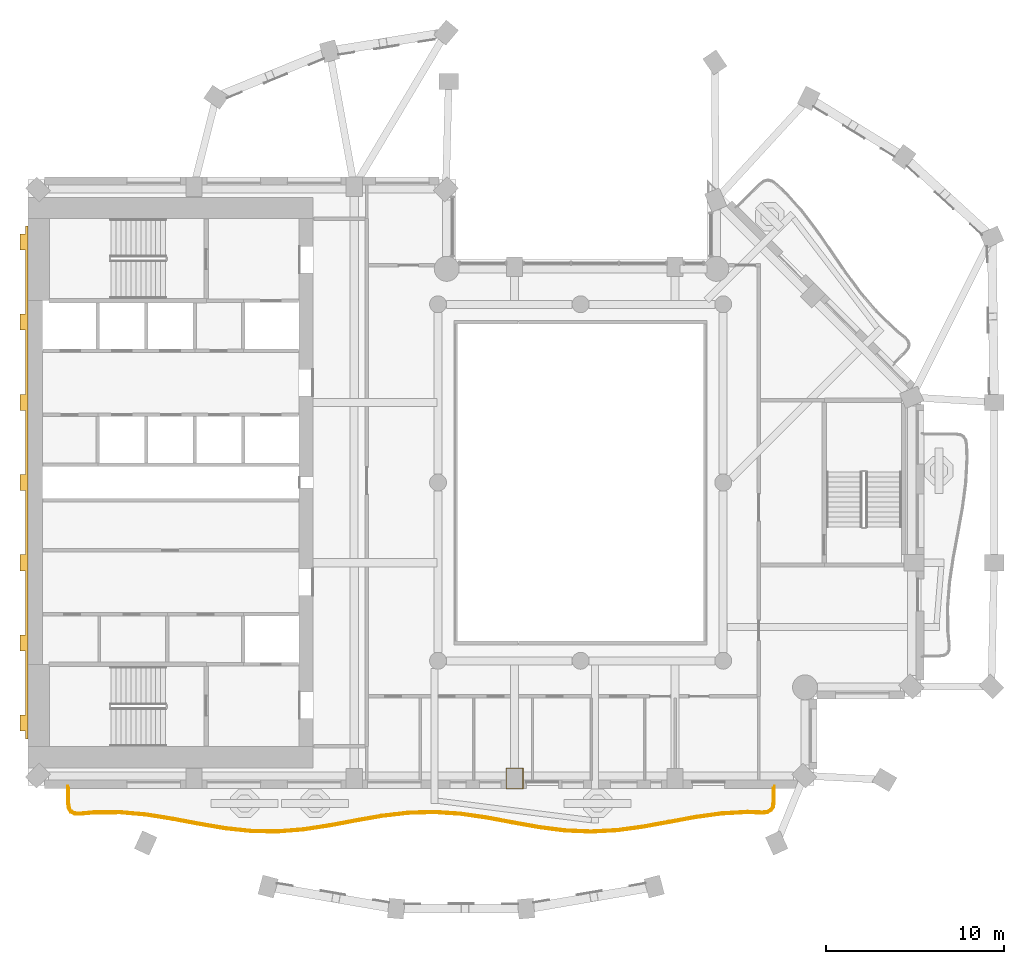
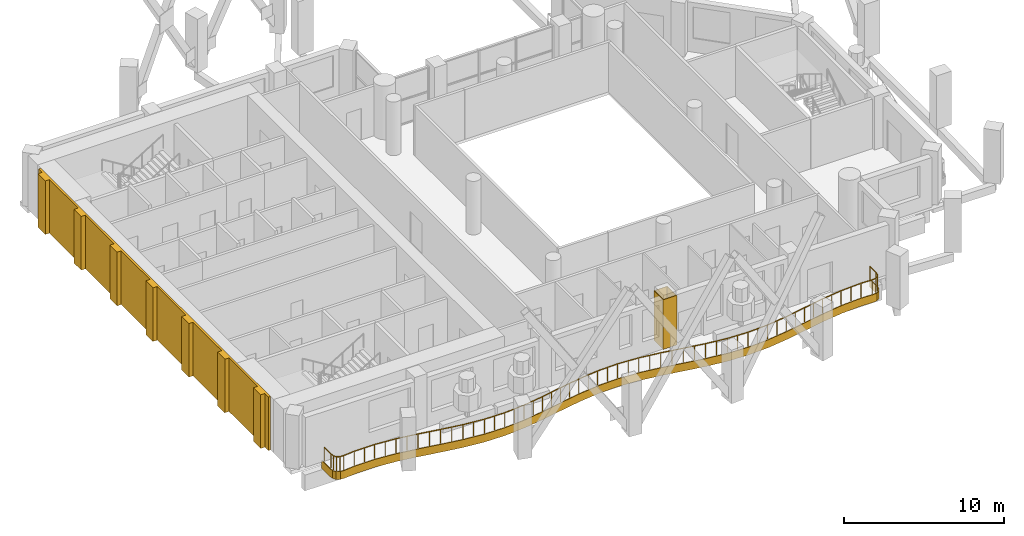
# One storey, part 12 of 16: 3 coverings, 1 railing.
"""IFC4 building model written with IfcOpenShell, lengths in metres."""

from ifc_helpers import new_model, si_unit, direction, frame, origin, origin_2d, place, context, subcontext, project, spatial, polyline, rectangle, outline, extrude, material, layer, layer_set, type_object, element, save


model = new_model("IFC4")

# Units and contexts
model_context = context("Model", 3, precision=1e-05, world=origin(), true_north=direction((0.0, 1.0)))
body_context = subcontext(model_context, "Body", "Model", "MODEL_VIEW")
ifc_project = project(units=[si_unit("LENGTHUNIT", "METRE"), si_unit("AREAUNIT", "SQUARE_METRE"), si_unit("VOLUMEUNIT", "CUBIC_METRE"), si_unit("PLANEANGLEUNIT", "RADIAN"), si_unit("MASSUNIT", "GRAM", prefix="KILO")], contexts=[model_context])

# Site, building, storey
site_placement = place(None, origin())
site = spatial("IfcSite", under=ifc_project, at=site_placement, CompositionType="ELEMENT")
building_placement = place(site_placement, origin())
building = spatial("IfcBuilding", under=site, at=building_placement, Name="Cypress Arch Tower", CompositionType="ELEMENT")
storey_placement = place(building_placement, frame((0.0, 0.0, 181.0)))
storey = spatial("IfcBuildingStorey", under=building, at=storey_placement, Name="L39", CompositionType="ELEMENT", Elevation=181.0)

# Covering
ifc_material_1 = material(Name="White powder-coated aluminium fascia", Category="aluminium")
ifc_layer_1 = layer(ifc_material_1, 0.050048828125)
ifc_layer_set_1 = layer_set([ifc_layer_1], Name="Balcony fascia BF50")
covering_type_1 = type_object("IfcCoveringType", Name="Balcony fascia BF50", PredefinedType="CLADDING", material=ifc_layer_set_1)
covering_1_placement = place(storey_placement, frame((0.0, 0.0, -0.60009765625)))
element("IfcCovering", 1, at=covering_1_placement, inside=storey, type_object=covering_type_1, Name="Balcony fascia L39-B01", PredefinedType="CLADDING", context=body_context, shape_type="SweptSolid", body=[
    extrude(outline(polyline([(11.89990234375, -17.903076171875), (11.856689453125, -18.2041015625), (11.720703125, -18.425537109375), (11.494140625, -18.55224609375), (11.191650390625, -18.583251953125), (10.3837890625, -18.550537109375), (8.92138671875, -18.6318359375), (7.4580078125, -18.8330078125), (5.992431640625, -19.102783203125), (4.524658203125, -19.372314453125), (3.0546875, -19.572021484375), (1.58349609375, -19.650634765625), (0.1123046875, -19.587890625), (-1.357666015625, -19.399658203125), (-2.82568359375, -19.134765625), (-4.29150390625, -18.861328125), (-5.755126953125, -18.6494140625), (-7.217529296875, -18.552734375), (-8.6796875, -18.59619140625), (-10.142822265625, -18.7685546875), (-11.607666015625, -19.026123046875), (-13.074951171875, -19.302978515625), (-14.544189453125, -19.52783203125), (-16.01513671875, -19.64306640625), (-17.486328125, -19.61865234375), (-18.956787109375, -19.461181640625), (-20.425537109375, -19.2109375), (-21.891845703125, -18.9326171875), (-23.356201171875, -18.697509765625), (-24.81884765625, -18.565673828125), (-26.28076171875, -18.570556640625), (-27.0888671875, -18.64794921875), (-27.391845703125, -18.633544921875), (-27.619873046875, -18.51806640625), (-27.756591796875, -18.302001953125), (-27.800048828125, -18.001708984375), (-27.800048828125, -17.0009765625), (-27.75, -17.0009765625), (-27.75, -17.998291015625), (-27.708740234375, -18.284423828125), (-27.5849609375, -18.479736328125), (-27.378662109375, -18.584228515625), (-27.090087890625, -18.597900390625), (-26.283447265625, -18.5205078125), (-24.816650390625, -18.515625), (-23.35009765625, -18.64794921875), (-21.88330078125, -18.88330078125), (-20.416748046875, -19.161865234375), (-18.949951171875, -19.41162109375), (-17.4833984375, -19.56884765625), (-16.0166015625, -19.593017578125), (-14.550048828125, -19.478271484375), (-13.083251953125, -19.253662109375), (-11.61669921875, -18.97705078125), (-10.14990234375, -18.71923828125), (-8.683349609375, -18.54638671875), (-7.216552734375, -18.502685546875), (-5.75, -18.599609375), (-4.283447265625, -18.81201171875), (-2.816650390625, -19.085693359375), (-1.35009765625, -19.350341796875), (0.11669921875, -19.5380859375), (1.583251953125, -19.6005859375), (3.050048828125, -19.522216796875), (4.5166015625, -19.322998046875), (5.9833984375, -19.0537109375), (7.449951171875, -18.78369140625), (8.916748046875, -18.58203125), (10.38330078125, -18.50048828125), (11.18994140625, -18.533203125), (11.478759765625, -18.503662109375), (11.68505859375, -18.38818359375), (11.808837890625, -18.186767578125), (11.85009765625, -17.8994140625), (11.85009765625, -17.0009765625), (11.89990234375, -17.0009765625), (11.89990234375, -17.903076171875)])), origin(), (0.0, 0.0, 1.0), 0.60009765625),
])

# Railing
ifc_material_2 = material(Name="Powder-coated steel posts and rods, 100 mm clear between rods", Category="steel")
railing_type = type_object("IfcRailingType", Name="Balcony guard GR1100", PredefinedType="GUARDRAIL", material=ifc_material_2)
railing_placement = place(storey_placement, frame((11.800048828125, -17.14990234375, 0.0)))
element("IfcRailing", 2, at=railing_placement, inside=storey, type_object=railing_type, Name="Balcony guard L39-B01", PredefinedType="GUARDRAIL", context=body_context, shape_type="SweptSolid", body=[
    extrude(rectangle(XDim=0.050048828125, YDim=0.050048828125, at=origin_2d()), frame((0.0, 0.0, 1.0751953125), z_axis=(0.0, -1.0, 0.0), x_axis=(1.0, 0.0, 0.0)), (0.0, 0.0, 1.0), 0.74609375),
    extrude(rectangle(XDim=0.050048828125, YDim=0.050048828125, at=origin_2d()), frame((0.0, -0.74609375, 1.0751953125), z_axis=(-0.142287399326, -0.989825386618, 0.0), x_axis=(0.989825386618, -0.142287399326, 0.0)), (0.0, 0.0, 1.0), 0.2763671875),
    extrude(rectangle(XDim=0.050048828125, YDim=0.050048828125, at=origin_2d()), frame((-0.039306640625, -1.01953125, 1.0751953125), z_axis=(-0.523905525401, -0.851776379371, 0.0), x_axis=(0.851776379371, -0.523905525401, 0.0)), (0.0, 0.0, 1.0), 0.212890625),
    extrude(rectangle(XDim=0.050048828125, YDim=0.050048828125, at=origin_2d()), frame((-0.15087890625, -1.200927734375, 1.0751953125), z_axis=(-0.872584215723, -0.48846370026, 0.0), x_axis=(0.48846370026, -0.872584215723, 0.0)), (0.0, 0.0, 1.0), 0.212890625),
    extrude(rectangle(XDim=0.050048828125, YDim=0.050048828125, at=origin_2d()), frame((-0.336669921875, -1.304931640625, 1.0751953125), z_axis=(-0.99473535586, -0.10247717698, 0.0), x_axis=(0.10247717698, -0.99473535586, 0.0)), (0.0, 0.0, 1.0), 0.2763671875),
    extrude(rectangle(XDim=0.050048828125, YDim=0.050048828125, at=origin_2d()), frame((-0.611572265625, -1.333251953125, 1.0751953125), z_axis=(-0.999176093395, 0.04058490346, 0.0), x_axis=(-0.04058490346, -0.999176093395, 0.0)), (0.0, 0.0, 1.0), 0.80615234375),
    extrude(rectangle(XDim=0.050048828125, YDim=0.050048828125, at=origin_2d()), frame((-1.4169921875, -1.300537109375, 1.0751953125), z_axis=(-0.998458313248, -0.055506726674, 0.0), x_axis=(0.055506726674, -0.998458313248, 0.0)), (0.0, 0.0, 1.0), 1.473388671875),
    extrude(rectangle(XDim=0.050048828125, YDim=0.050048828125, at=origin_2d()), frame((-2.88818359375, -1.38232421875, 1.0751953125), z_axis=(-0.990695488544, -0.136097204157, 0.0), x_axis=(0.136097204157, -0.990695488544, 0.0)), (0.0, 0.0, 1.0), 1.483642578125),
    extrude(rectangle(XDim=0.050048828125, YDim=0.050048828125, at=origin_2d()), frame((-4.35791015625, -1.584228515625, 1.0751953125), z_axis=(-0.983466991215, -0.181087484909, 0.0), x_axis=(0.181087484909, -0.983466991215, 0.0)), (0.0, 0.0, 1.0), 1.492431640625),
    extrude(rectangle(XDim=0.050048828125, YDim=0.050048828125, at=origin_2d()), frame((-5.82568359375, -1.8544921875, 1.0751953125), z_axis=(-0.983564391279, -0.180557714341, 0.0), x_axis=(0.180557714341, -0.983564391279, 0.0)), (0.0, 0.0, 1.0), 1.489990234375),
    extrude(rectangle(XDim=0.050048828125, YDim=0.050048828125, at=origin_2d()), frame((-7.291259765625, -2.12353515625, 1.0751953125), z_axis=(-0.990882403587, -0.13472958941, 0.0), x_axis=(0.13472958941, -0.990882403587, 0.0)), (0.0, 0.0, 1.0), 1.476806640625),
    extrude(rectangle(XDim=0.050048828125, YDim=0.050048828125, at=origin_2d()), frame((-8.754638671875, -2.322509765625, 1.0751953125), z_axis=(-0.998576072298, -0.053346301024, 0.0), x_axis=(0.053346301024, -0.998576072298, 0.0)), (0.0, 0.0, 1.0), 1.464599609375),
    extrude(rectangle(XDim=0.050048828125, YDim=0.050048828125, at=origin_2d()), frame((-10.217041015625, -2.400634765625, 1.0751953125), z_axis=(-0.999087681105, 0.042706035459, 0.0), x_axis=(-0.042706035459, -0.999087681105, 0.0)), (0.0, 0.0, 1.0), 1.46337890625),
    extrude(rectangle(XDim=0.050048828125, YDim=0.050048828125, at=origin_2d()), frame((-11.67919921875, -2.338134765625, 1.0751953125), z_axis=(-0.991909475949, 0.126947199742, 0.0), x_axis=(-0.126947199742, -0.991909475949, 0.0)), (0.0, 0.0, 1.0), 1.47509765625),
    extrude(rectangle(XDim=0.050048828125, YDim=0.050048828125, at=origin_2d()), frame((-13.142333984375, -2.15087890625, 1.0751953125), z_axis=(-0.984107764533, 0.177572260745, 0.0), x_axis=(-0.177572260745, -0.984107764533, 0.0)), (0.0, 0.0, 1.0), 1.489013671875),
    extrude(rectangle(XDim=0.050048828125, YDim=0.050048828125, at=origin_2d()), frame((-14.607666015625, -1.886474609375, 1.0751953125), z_axis=(-0.983051307943, 0.183330646515, 0.0), x_axis=(-0.183330646515, -0.983051307943, 0.0)), (0.0, 0.0, 1.0), 1.492919921875),
    extrude(rectangle(XDim=0.050048828125, YDim=0.050048828125, at=origin_2d()), frame((-16.0751953125, -1.61279296875, 1.0751953125), z_axis=(-0.989671418466, 0.143354398157, 0.0), x_axis=(-0.143354398157, -0.989671418466, 0.0)), (0.0, 0.0, 1.0), 1.485107421875),
    extrude(rectangle(XDim=0.050048828125, YDim=0.050048828125, at=origin_2d()), frame((-17.544921875, -1.39990234375, 1.0751953125), z_axis=(-0.997825279031, 0.06591443337, 0.0), x_axis=(-0.06591443337, -0.997825279031, 0.0)), (0.0, 0.0, 1.0), 1.47412109375),
    extrude(rectangle(XDim=0.050048828125, YDim=0.050048828125, at=origin_2d()), frame((-19.015869140625, -1.302734375, 1.0751953125), z_axis=(-0.999559109721, -0.029691516867, 0.0), x_axis=(0.029691516867, -0.999559109721, 0.0)), (0.0, 0.0, 1.0), 1.471923828125),
    extrude(rectangle(XDim=0.050048828125, YDim=0.050048828125, at=origin_2d()), frame((-20.487060546875, -1.346435546875, 1.0751953125), z_axis=(-0.993121304879, -0.117090024321, 0.0), x_axis=(0.117090024321, -0.993121304879, 0.0)), (0.0, 0.0, 1.0), 1.48046875),
    extrude(rectangle(XDim=0.050048828125, YDim=0.050048828125, at=origin_2d()), frame((-21.957275390625, -1.519775390625, 1.0751953125), z_axis=(-0.984908582106, -0.173075373447, 0.0), x_axis=(0.173075373447, -0.984908582106, 0.0)), (0.0, 0.0, 1.0), 1.490966796875),
    extrude(rectangle(XDim=0.050048828125, YDim=0.050048828125, at=origin_2d()), frame((-23.42578125, -1.77783203125, 1.0751953125), z_axis=(-0.982662216276, -0.185404877775, 0.0), x_axis=(0.185404877775, -0.982662216276, 0.0)), (0.0, 0.0, 1.0), 1.491943359375),
    extrude(rectangle(XDim=0.050048828125, YDim=0.050048828125, at=origin_2d()), frame((-24.891845703125, -2.054443359375, 1.0751953125), z_axis=(-0.988481976373, -0.151338634808, 0.0), x_axis=(0.151338634808, -0.988481976373, 0.0)), (0.0, 0.0, 1.0), 1.48095703125),
    extrude(rectangle(XDim=0.050048828125, YDim=0.050048828125, at=origin_2d()), frame((-26.355712890625, -2.278564453125, 1.0751953125), z_axis=(-0.996949812842, -0.078045311671, 0.0), x_axis=(0.078045311671, -0.996949812842, 0.0)), (0.0, 0.0, 1.0), 1.467041015625),
    extrude(rectangle(XDim=0.050048828125, YDim=0.050048828125, at=origin_2d()), frame((-27.818359375, -2.39306640625, 1.0751953125), z_axis=(-0.999863356874, 0.016530807002, 0.0), x_axis=(-0.016530807002, -0.999863356874, 0.0)), (0.0, 0.0, 1.0), 1.462158203125),
    extrude(rectangle(XDim=0.050048828125, YDim=0.050048828125, at=origin_2d()), frame((-29.2802734375, -2.368896484375, 1.0751953125), z_axis=(-0.99430915392, 0.106533123634, 0.0), x_axis=(-0.106533123634, -0.99430915392, 0.0)), (0.0, 0.0, 1.0), 1.47119140625),
    extrude(rectangle(XDim=0.050048828125, YDim=0.050048828125, at=origin_2d()), frame((-30.7431640625, -2.212158203125, 1.0751953125), z_axis=(-0.985796868286, 0.167942056907, 0.0), x_axis=(-0.167942056907, -0.985796868286, 0.0)), (0.0, 0.0, 1.0), 1.485595703125),
    extrude(rectangle(XDim=0.050048828125, YDim=0.050048828125, at=origin_2d()), frame((-32.207763671875, -1.962646484375, 1.0751953125), z_axis=(-0.982475685153, 0.186390793988, 0.0), x_axis=(-0.186390793988, -0.982475685153, 0.0)), (0.0, 0.0, 1.0), 1.4931640625),
    extrude(rectangle(XDim=0.050048828125, YDim=0.050048828125, at=origin_2d()), frame((-33.6748046875, -1.684326171875, 1.0751953125), z_axis=(-0.987330830338, 0.158675238979, 0.0), x_axis=(-0.158675238979, -0.987330830338, 0.0)), (0.0, 0.0, 1.0), 1.48779296875),
    extrude(rectangle(XDim=0.050048828125, YDim=0.050048828125, at=origin_2d()), frame((-35.143798828125, -1.4482421875, 1.0751953125), z_axis=(-0.99596203062, 0.089775461923, 0.0), x_axis=(-0.089775461923, -0.99596203062, 0.0)), (0.0, 0.0, 1.0), 1.4765625),
    extrude(rectangle(XDim=0.050048828125, YDim=0.050048828125, at=origin_2d()), frame((-36.614501953125, -1.315673828125, 1.0751953125), z_axis=(-0.999994494154, -0.00331838226, 0.0), x_axis=(0.00331838226, -0.999994494154, 0.0)), (0.0, 0.0, 1.0), 1.471435546875),
    extrude(rectangle(XDim=0.050048828125, YDim=0.050048828125, at=origin_2d()), frame((-38.0859375, -1.320556640625, 1.0751953125), z_axis=(-0.995415108176, -0.095649163168, 0.0), x_axis=(0.095649163168, -0.995415108176, 0.0)), (0.0, 0.0, 1.0), 0.80908203125),
    extrude(rectangle(XDim=0.050048828125, YDim=0.050048828125, at=origin_2d()), frame((-38.891357421875, -1.39794921875, 1.0751953125), z_axis=(-0.998847943181, 0.047987356701, 0.0), x_axis=(-0.047987356701, -0.998847943181, 0.0)), (0.0, 0.0, 1.0), 0.274658203125),
    extrude(rectangle(XDim=0.050048828125, YDim=0.050048828125, at=origin_2d()), frame((-39.165771484375, -1.384765625, 1.0751953125), z_axis=(-0.891813428963, 0.4524033686, 0.0), x_axis=(-0.4524033686, -0.891813428963, 0.0)), (0.0, 0.0, 1.0), 0.206787109375),
    extrude(rectangle(XDim=0.050048828125, YDim=0.050048828125, at=origin_2d()), frame((-39.35009765625, -1.291259765625, 1.0751953125), z_axis=(-0.536034849879, 0.844195853884, 0.0), x_axis=(-0.844195853884, -0.536034849879, 0.0)), (0.0, 0.0, 1.0), 0.206787109375),
    extrude(rectangle(XDim=0.050048828125, YDim=0.050048828125, at=origin_2d()), frame((-39.4609375, -1.11669921875, 1.0751953125), z_axis=(-0.142167696448, 0.989842586519, 0.0), x_axis=(-0.989842586519, -0.142167696448, 0.0)), (0.0, 0.0, 1.0), 0.274658203125),
    extrude(rectangle(XDim=0.050048828125, YDim=0.050048828125, at=origin_2d()), frame((-39.5, -0.8447265625, 1.0751953125), z_axis=(0.0, 1.0, 0.0), x_axis=(-1.0, 0.0, 0.0)), (0.0, 0.0, 1.0), 0.8447265625),
    extrude(rectangle(XDim=0.0400390625, YDim=0.0400390625, at=origin_2d()), origin(), (0.0, 0.0, 1.0), 1.050048828125),
    extrude(rectangle(XDim=0.0400390625, YDim=0.0400390625, at=origin_2d()), frame((0.0, -0.74609375, 0.0)), (0.0, 0.0, 1.0), 1.050048828125),
    extrude(rectangle(XDim=0.0400390625, YDim=0.0400390625, at=origin_2d()), frame((-0.039306640625, -1.01953125, 0.0)), (0.0, 0.0, 1.0), 1.050048828125),
    extrude(rectangle(XDim=0.0400390625, YDim=0.0400390625, at=origin_2d()), frame((-0.15087890625, -1.200927734375, 0.0)), (0.0, 0.0, 1.0), 1.050048828125),
    extrude(rectangle(XDim=0.0400390625, YDim=0.0400390625, at=origin_2d()), frame((-0.336669921875, -1.304931640625, 0.0)), (0.0, 0.0, 1.0), 1.050048828125),
    extrude(rectangle(XDim=0.0400390625, YDim=0.0400390625, at=origin_2d()), frame((-0.611572265625, -1.333251953125, 0.0)), (0.0, 0.0, 1.0), 1.050048828125),
    extrude(rectangle(XDim=0.0400390625, YDim=0.0400390625, at=origin_2d()), frame((-1.4169921875, -1.300537109375, 0.0)), (0.0, 0.0, 1.0), 1.050048828125),
    extrude(rectangle(XDim=0.0400390625, YDim=0.0400390625, at=origin_2d()), frame((-2.152587890625, -1.34130859375, 0.0)), (0.0, 0.0, 1.0), 1.050048828125),
    extrude(rectangle(XDim=0.0400390625, YDim=0.0400390625, at=origin_2d()), frame((-2.88818359375, -1.38232421875, 0.0)), (0.0, 0.0, 1.0), 1.050048828125),
    extrude(rectangle(XDim=0.0400390625, YDim=0.0400390625, at=origin_2d()), frame((-3.623046875, -1.4833984375, 0.0)), (0.0, 0.0, 1.0), 1.050048828125),
    extrude(rectangle(XDim=0.0400390625, YDim=0.0400390625, at=origin_2d()), frame((-4.35791015625, -1.584228515625, 0.0)), (0.0, 0.0, 1.0), 1.050048828125),
    extrude(rectangle(XDim=0.0400390625, YDim=0.0400390625, at=origin_2d()), frame((-5.091796875, -1.71923828125, 0.0)), (0.0, 0.0, 1.0), 1.050048828125),
    extrude(rectangle(XDim=0.0400390625, YDim=0.0400390625, at=origin_2d()), frame((-5.82568359375, -1.8544921875, 0.0)), (0.0, 0.0, 1.0), 1.050048828125),
    extrude(rectangle(XDim=0.0400390625, YDim=0.0400390625, at=origin_2d()), frame((-6.55859375, -1.989013671875, 0.0)), (0.0, 0.0, 1.0), 1.050048828125),
    extrude(rectangle(XDim=0.0400390625, YDim=0.0400390625, at=origin_2d()), frame((-7.291259765625, -2.12353515625, 0.0)), (0.0, 0.0, 1.0), 1.050048828125),
    extrude(rectangle(XDim=0.0400390625, YDim=0.0400390625, at=origin_2d()), frame((-8.02294921875, -2.22314453125, 0.0)), (0.0, 0.0, 1.0), 1.050048828125),
    extrude(rectangle(XDim=0.0400390625, YDim=0.0400390625, at=origin_2d()), frame((-8.754638671875, -2.322509765625, 0.0)), (0.0, 0.0, 1.0), 1.050048828125),
    extrude(rectangle(XDim=0.0400390625, YDim=0.0400390625, at=origin_2d()), frame((-9.48583984375, -2.361572265625, 0.0)), (0.0, 0.0, 1.0), 1.050048828125),
    extrude(rectangle(XDim=0.0400390625, YDim=0.0400390625, at=origin_2d()), frame((-10.217041015625, -2.400634765625, 0.0)), (0.0, 0.0, 1.0), 1.050048828125),
    extrude(rectangle(XDim=0.0400390625, YDim=0.0400390625, at=origin_2d()), frame((-10.9482421875, -2.369384765625, 0.0)), (0.0, 0.0, 1.0), 1.050048828125),
    extrude(rectangle(XDim=0.0400390625, YDim=0.0400390625, at=origin_2d()), frame((-11.67919921875, -2.338134765625, 0.0)), (0.0, 0.0, 1.0), 1.050048828125),
    extrude(rectangle(XDim=0.0400390625, YDim=0.0400390625, at=origin_2d()), frame((-12.41064453125, -2.24462890625, 0.0)), (0.0, 0.0, 1.0), 1.050048828125),
    extrude(rectangle(XDim=0.0400390625, YDim=0.0400390625, at=origin_2d()), frame((-13.142333984375, -2.15087890625, 0.0)), (0.0, 0.0, 1.0), 1.050048828125),
    extrude(rectangle(XDim=0.0400390625, YDim=0.0400390625, at=origin_2d()), frame((-13.875, -2.0185546875, 0.0)), (0.0, 0.0, 1.0), 1.050048828125),
    extrude(rectangle(XDim=0.0400390625, YDim=0.0400390625, at=origin_2d()), frame((-14.607666015625, -1.886474609375, 0.0)), (0.0, 0.0, 1.0), 1.050048828125),
    extrude(rectangle(XDim=0.0400390625, YDim=0.0400390625, at=origin_2d()), frame((-15.34130859375, -1.74951171875, 0.0)), (0.0, 0.0, 1.0), 1.050048828125),
    extrude(rectangle(XDim=0.0400390625, YDim=0.0400390625, at=origin_2d()), frame((-16.0751953125, -1.61279296875, 0.0)), (0.0, 0.0, 1.0), 1.050048828125),
    extrude(rectangle(XDim=0.0400390625, YDim=0.0400390625, at=origin_2d()), frame((-16.81005859375, -1.50634765625, 0.0)), (0.0, 0.0, 1.0), 1.050048828125),
    extrude(rectangle(XDim=0.0400390625, YDim=0.0400390625, at=origin_2d()), frame((-17.544921875, -1.39990234375, 0.0)), (0.0, 0.0, 1.0), 1.050048828125),
    extrude(rectangle(XDim=0.0400390625, YDim=0.0400390625, at=origin_2d()), frame((-18.2802734375, -1.351318359375, 0.0)), (0.0, 0.0, 1.0), 1.050048828125),
    extrude(rectangle(XDim=0.0400390625, YDim=0.0400390625, at=origin_2d()), frame((-19.015869140625, -1.302734375, 0.0)), (0.0, 0.0, 1.0), 1.050048828125),
    extrude(rectangle(XDim=0.0400390625, YDim=0.0400390625, at=origin_2d()), frame((-19.75146484375, -1.32470703125, 0.0)), (0.0, 0.0, 1.0), 1.050048828125),
    extrude(rectangle(XDim=0.0400390625, YDim=0.0400390625, at=origin_2d()), frame((-20.487060546875, -1.346435546875, 0.0)), (0.0, 0.0, 1.0), 1.050048828125),
    extrude(rectangle(XDim=0.0400390625, YDim=0.0400390625, at=origin_2d()), frame((-21.22216796875, -1.43310546875, 0.0)), (0.0, 0.0, 1.0), 1.050048828125),
    extrude(rectangle(XDim=0.0400390625, YDim=0.0400390625, at=origin_2d()), frame((-21.957275390625, -1.519775390625, 0.0)), (0.0, 0.0, 1.0), 1.050048828125),
    extrude(rectangle(XDim=0.0400390625, YDim=0.0400390625, at=origin_2d()), frame((-22.69140625, -1.64892578125, 0.0)), (0.0, 0.0, 1.0), 1.050048828125),
    extrude(rectangle(XDim=0.0400390625, YDim=0.0400390625, at=origin_2d()), frame((-23.42578125, -1.77783203125, 0.0)), (0.0, 0.0, 1.0), 1.050048828125),
    extrude(rectangle(XDim=0.0400390625, YDim=0.0400390625, at=origin_2d()), frame((-24.15869140625, -1.916015625, 0.0)), (0.0, 0.0, 1.0), 1.050048828125),
    extrude(rectangle(XDim=0.0400390625, YDim=0.0400390625, at=origin_2d()), frame((-24.891845703125, -2.054443359375, 0.0)), (0.0, 0.0, 1.0), 1.050048828125),
    extrude(rectangle(XDim=0.0400390625, YDim=0.0400390625, at=origin_2d()), frame((-25.623779296875, -2.16650390625, 0.0)), (0.0, 0.0, 1.0), 1.050048828125),
    extrude(rectangle(XDim=0.0400390625, YDim=0.0400390625, at=origin_2d()), frame((-26.355712890625, -2.278564453125, 0.0)), (0.0, 0.0, 1.0), 1.050048828125),
    extrude(rectangle(XDim=0.0400390625, YDim=0.0400390625, at=origin_2d()), frame((-27.0869140625, -2.3359375, 0.0)), (0.0, 0.0, 1.0), 1.050048828125),
    extrude(rectangle(XDim=0.0400390625, YDim=0.0400390625, at=origin_2d()), frame((-27.818359375, -2.39306640625, 0.0)), (0.0, 0.0, 1.0), 1.050048828125),
    extrude(rectangle(XDim=0.0400390625, YDim=0.0400390625, at=origin_2d()), frame((-28.54931640625, -2.380859375, 0.0)), (0.0, 0.0, 1.0), 1.050048828125),
    extrude(rectangle(XDim=0.0400390625, YDim=0.0400390625, at=origin_2d()), frame((-29.2802734375, -2.368896484375, 0.0)), (0.0, 0.0, 1.0), 1.050048828125),
    extrude(rectangle(XDim=0.0400390625, YDim=0.0400390625, at=origin_2d()), frame((-30.01171875, -2.29052734375, 0.0)), (0.0, 0.0, 1.0), 1.050048828125),
    extrude(rectangle(XDim=0.0400390625, YDim=0.0400390625, at=origin_2d()), frame((-30.7431640625, -2.212158203125, 0.0)), (0.0, 0.0, 1.0), 1.050048828125),
    extrude(rectangle(XDim=0.0400390625, YDim=0.0400390625, at=origin_2d()), frame((-31.4755859375, -2.08740234375, 0.0)), (0.0, 0.0, 1.0), 1.050048828125),
    extrude(rectangle(XDim=0.0400390625, YDim=0.0400390625, at=origin_2d()), frame((-32.207763671875, -1.962646484375, 0.0)), (0.0, 0.0, 1.0), 1.050048828125),
    extrude(rectangle(XDim=0.0400390625, YDim=0.0400390625, at=origin_2d()), frame((-32.94140625, -1.823486328125, 0.0)), (0.0, 0.0, 1.0), 1.050048828125),
    extrude(rectangle(XDim=0.0400390625, YDim=0.0400390625, at=origin_2d()), frame((-33.6748046875, -1.684326171875, 0.0)), (0.0, 0.0, 1.0), 1.050048828125),
    extrude(rectangle(XDim=0.0400390625, YDim=0.0400390625, at=origin_2d()), frame((-34.4091796875, -1.56640625, 0.0)), (0.0, 0.0, 1.0), 1.050048828125),
    extrude(rectangle(XDim=0.0400390625, YDim=0.0400390625, at=origin_2d()), frame((-35.143798828125, -1.4482421875, 0.0)), (0.0, 0.0, 1.0), 1.050048828125),
    extrude(rectangle(XDim=0.0400390625, YDim=0.0400390625, at=origin_2d()), frame((-35.879150390625, -1.3818359375, 0.0)), (0.0, 0.0, 1.0), 1.050048828125),
    extrude(rectangle(XDim=0.0400390625, YDim=0.0400390625, at=origin_2d()), frame((-36.614501953125, -1.315673828125, 0.0)), (0.0, 0.0, 1.0), 1.050048828125),
    extrude(rectangle(XDim=0.0400390625, YDim=0.0400390625, at=origin_2d()), frame((-37.35009765625, -1.318115234375, 0.0)), (0.0, 0.0, 1.0), 1.050048828125),
    extrude(rectangle(XDim=0.0400390625, YDim=0.0400390625, at=origin_2d()), frame((-38.0859375, -1.320556640625, 0.0)), (0.0, 0.0, 1.0), 1.050048828125),
    extrude(rectangle(XDim=0.0400390625, YDim=0.0400390625, at=origin_2d()), frame((-38.891357421875, -1.39794921875, 0.0)), (0.0, 0.0, 1.0), 1.050048828125),
    extrude(rectangle(XDim=0.0400390625, YDim=0.0400390625, at=origin_2d()), frame((-39.165771484375, -1.384765625, 0.0)), (0.0, 0.0, 1.0), 1.050048828125),
    extrude(rectangle(XDim=0.0400390625, YDim=0.0400390625, at=origin_2d()), frame((-39.35009765625, -1.291259765625, 0.0)), (0.0, 0.0, 1.0), 1.050048828125),
    extrude(rectangle(XDim=0.0400390625, YDim=0.0400390625, at=origin_2d()), frame((-39.4609375, -1.11669921875, 0.0)), (0.0, 0.0, 1.0), 1.050048828125),
    extrude(rectangle(XDim=0.0400390625, YDim=0.0400390625, at=origin_2d()), frame((-39.5, -0.8447265625, 0.0)), (0.0, 0.0, 1.0), 1.050048828125),
    extrude(rectangle(XDim=0.0400390625, YDim=0.0400390625, at=origin_2d()), frame((-39.5, 0.0, 0.0)), (0.0, 0.0, 1.0), 1.050048828125),
])

# Coverings
ifc_material_3 = material(Name="Painted plasterboard column casing")
ifc_layer_2 = layer(ifc_material_3, 0.0400390625)
ifc_layer_set_2 = layer_set([ifc_layer_2], Name="Column casing CK40")
covering_type_2 = type_object("IfcCoveringType", Name="Column casing CK40", PredefinedType="CLADDING", material=ifc_layer_set_2)
covering_2_placement = place(storey_placement, origin())
element("IfcCovering", 3, at=covering_2_placement, inside=storey, type_object=covering_type_2, Name="Column casing L39 CB04", PredefinedType="CLADDING", context=body_context, shape_type="SweptSolid", body=[
    extrude(outline(polyline([(-3.18994140625, -17.18994140625), (-3.18994140625, -16.010009765625), (-2.2099609375, -16.010009765625), (-2.2099609375, -17.18994140625), (-3.18994140625, -17.18994140625)]), holes=[polyline([(-3.14990234375, -17.14990234375), (-2.25, -17.14990234375), (-2.25, -16.050048828125), (-3.14990234375, -16.050048828125), (-3.14990234375, -17.14990234375)])]), origin(), (0.0, 0.0, 1.0), 3.800048828125),
])
ifc_material_4 = material(Name="Brick (red buff blend)", Category="masonry")
ifc_layer_3 = layer(ifc_material_4, 0.449951171875)
ifc_layer_set_3 = layer_set([ifc_layer_3], Name="West face brick piers WP450")
covering_type_3 = type_object("IfcCoveringType", Name="West face brick piers WP450", PredefinedType="CLADDING", material=ifc_layer_set_3)
covering_3_placement = place(storey_placement, origin())
element("IfcCovering", 4, at=covering_3_placement, inside=storey, type_object=covering_type_3, Name="West face brick piers L39", PredefinedType="CLADDING", context=body_context, shape_type="SweptSolid", body=[
    extrude(outline(polyline([(-30.14990234375, -13.050048828125), (-30.14990234375, -9.449951171875), (-30.449951171875, -9.449951171875), (-30.449951171875, -8.550048828125), (-30.14990234375, -8.550048828125), (-30.14990234375, -4.949951171875), (-30.449951171875, -4.949951171875), (-30.449951171875, -4.050048828125), (-30.14990234375, -4.050048828125), (-30.14990234375, -0.449951171875), (-30.449951171875, -0.449951171875), (-30.449951171875, 0.449951171875), (-30.14990234375, 0.449951171875), (-30.14990234375, 4.050048828125), (-30.449951171875, 4.050048828125), (-30.449951171875, 4.949951171875), (-30.14990234375, 4.949951171875), (-30.14990234375, 8.550048828125), (-30.449951171875, 8.550048828125), (-30.449951171875, 9.449951171875), (-30.14990234375, 9.449951171875), (-30.14990234375, 13.050048828125), (-30.449951171875, 13.050048828125), (-30.449951171875, 13.949951171875), (-30.14990234375, 13.949951171875), (-30.14990234375, 14.39990234375), (-30.0, 14.39990234375), (-30.0, -14.39990234375), (-30.14990234375, -14.39990234375), (-30.14990234375, -13.949951171875), (-30.449951171875, -13.949951171875), (-30.449951171875, -13.050048828125), (-30.14990234375, -13.050048828125)])), origin(), (0.0, 0.0, 1.0), 4.10009765625),
])

save(model, "model.ifc")
